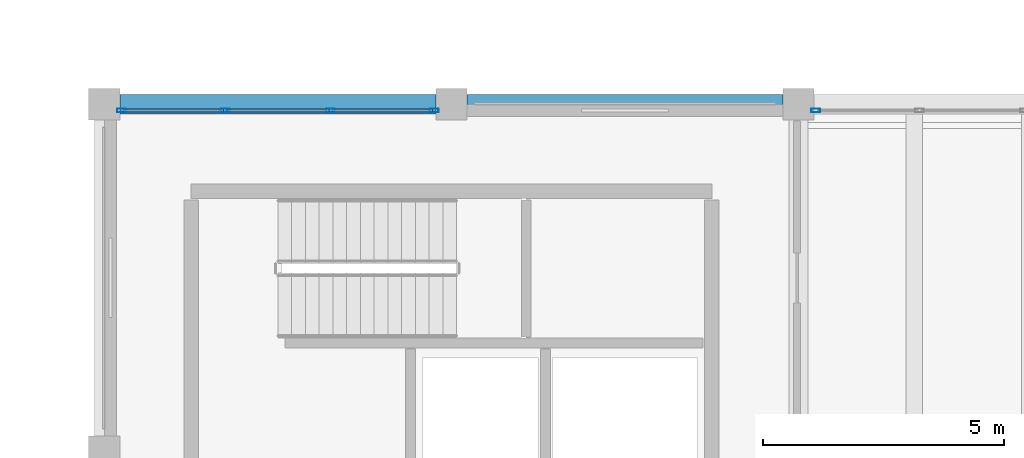
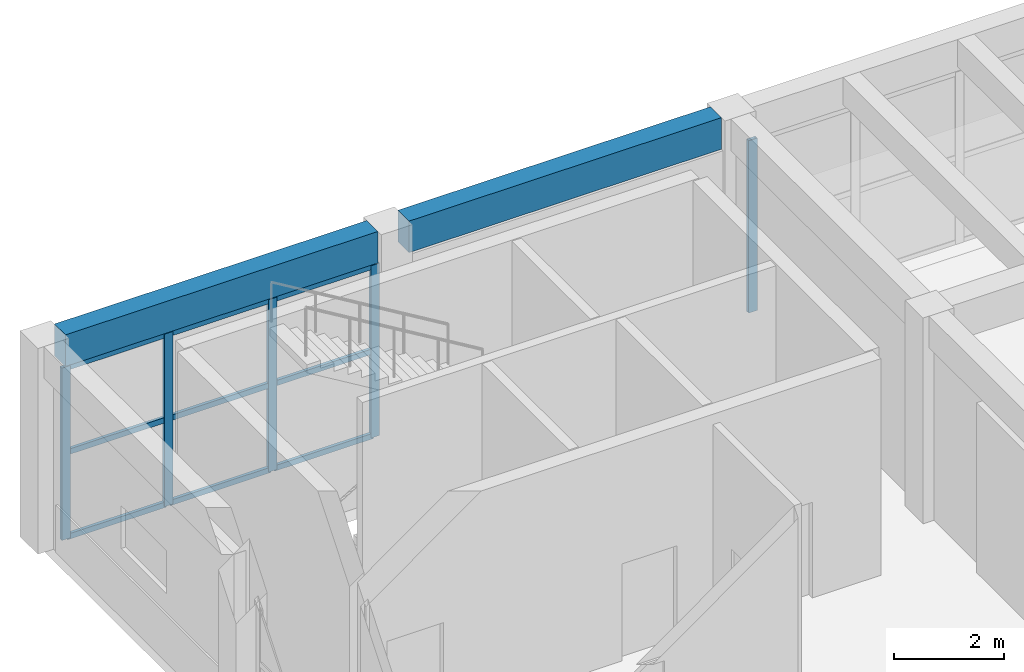
# One storey, part 78 of 155: 14 members, 2 beams, 2 elements without a shape of their own.
"""IFC4 building model written with IfcOpenShell, lengths in metres."""

from ifc_helpers import new_model, si_unit, direction, frame, origin, origin_2d, place, context, subcontext, project, spatial, rectangle, hollow_rectangle, extrude, material, material_profile, profile_set, type_object, element, aggregate, save


model = new_model("IFC4")

# Units and contexts
model_context = context("Model", 3, precision=1e-05, world=origin(), true_north=direction((0.0, 1.0)))
body_context = subcontext(model_context, "Body", "Model", "MODEL_VIEW")
ifc_project = project(units=[si_unit("LENGTHUNIT", "METRE"), si_unit("AREAUNIT", "SQUARE_METRE"), si_unit("VOLUMEUNIT", "CUBIC_METRE"), si_unit("PLANEANGLEUNIT", "RADIAN"), si_unit("MASSUNIT", "GRAM", prefix="KILO")], contexts=[model_context])

# Site, building, storey
site_placement = place(None, origin())
site = spatial("IfcSite", under=ifc_project, at=site_placement, CompositionType="ELEMENT")
building_placement = place(site_placement, origin())
building = spatial("IfcBuilding", under=site, at=building_placement, Name="Bramvelor Terrace Health Centre", CompositionType="ELEMENT")
storey_placement = place(building_placement, origin())
storey = spatial("IfcBuildingStorey", under=building, at=storey_placement, Name="L01", CompositionType="ELEMENT", Elevation=0.0)

# Beams
ifc_material_1 = material(Name="Concrete C40/50", Category="concrete")
ifc_material_profile_1 = material_profile(ifc_material_1, rectangle(XDim=0.39990234375, YDim=0.699951171875, at=origin_2d()), Name="RC 400x700")
ifc_profile_set_1 = profile_set([ifc_material_profile_1], Name="Concrete C40/50")
beam_type = type_object("IfcBeamType", Name="BM-RC-SP700-EXT", PredefinedType="SPANDREL", material=ifc_profile_set_1)
for number, where, z_axis, x_axis, name in (
    (1, (0.324951171875, 115.199951171875, 4.2099609375), (1.0, 0.0, 0.0), (0.0, 1.0, 0.0), "L01 Floor Girder"),
    (2, (7.52490234375, 115.199951171875, 4.2099609375), (1.0, 0.0, 0.0), (0.0, 1.0, 0.0), "L01 Floor Girder"),
):
    element("IfcBeam", number, at=place(storey_placement, frame(where, z_axis=z_axis, x_axis=x_axis)), inside=storey, type_object=beam_type, Name=name, PredefinedType="SPANDREL", context=body_context, shape_type="SweptSolid", body=[
        extrude(rectangle(XDim=0.39990234375, YDim=0.699951171875, at=origin_2d()), origin(), (0.0, 0.0, 1.0), 6.550048828125),
    ])

# Curtain wall, members
ifc_material_2 = material(Name="Anodized aluminium and double low-E glass", Category="aluminium")
curtain_wall_type = type_object("IfcCurtainWallType", Name="CW-SYS-05", PredefinedType="NOTDEFINED", material=ifc_material_2)
curtain_wall_1_placement = place(storey_placement, origin())
curtain_wall_1 = element("IfcCurtainWall", 3, at=curtain_wall_1_placement, inside=storey, type_object=curtain_wall_type, Name="L01 Unitized Curtain Wall 18", PredefinedType="NOTDEFINED")
ifc_material_3 = material(Name="Anodized aluminium 6063-T6", Category="aluminium")
ifc_material_profile_2 = material_profile(ifc_material_3, hollow_rectangle(XDim=0.074951171875, YDim=0.179931640625, WallThickness=0.00341796875, at=origin_2d()), Name="ALU-MUL 75x180x3.5")
ifc_profile_set_2 = profile_set([ifc_material_profile_2], Name="Anodized aluminium 6063-T6")
member_type_1 = type_object("IfcMemberType", Name="CW-MUL-65x180", PredefinedType="MULLION", material=ifc_profile_set_2)
member_1_placement = place(storey_placement, frame((0.357421875, 115.070068359375, 0.0), z_axis=(0.0, 0.0, 1.0), x_axis=(0.0, 1.0, 0.0)))
member_1 = element("IfcMember", 4, at=member_1_placement, type_object=member_type_1, Name="CW-05 mullion 1", PredefinedType="MULLION", context=body_context, shape_type="SweptSolid", body=[
    extrude(hollow_rectangle(XDim=0.074951171875, YDim=0.179931640625, WallThickness=0.00341796875, at=origin_2d()), origin(), (0.0, 0.0, 1.0), 3.820068359375),
])
member_2_placement = place(storey_placement, frame((2.506591796875, 115.070068359375, 0.0), z_axis=(0.0, 0.0, 1.0), x_axis=(0.0, 1.0, 0.0)))
member_2 = element("IfcMember", 5, at=member_2_placement, type_object=member_type_1, Name="CW-05 mullion 2", PredefinedType="MULLION", context=body_context, shape_type="SweptSolid", body=[
    extrude(hollow_rectangle(XDim=0.074951171875, YDim=0.179931640625, WallThickness=0.00341796875, at=origin_2d()), origin(), (0.0, 0.0, 1.0), 3.820068359375),
])
member_3_placement = place(storey_placement, frame((4.693359375, 115.070068359375, 0.0), z_axis=(0.0, 0.0, 1.0), x_axis=(0.0, 1.0, 0.0)))
member_3 = element("IfcMember", 6, at=member_3_placement, type_object=member_type_1, Name="CW-05 mullion 3", PredefinedType="MULLION", context=body_context, shape_type="SweptSolid", body=[
    extrude(hollow_rectangle(XDim=0.074951171875, YDim=0.179931640625, WallThickness=0.00341796875, at=origin_2d()), origin(), (0.0, 0.0, 1.0), 3.820068359375),
])
member_4_placement = place(storey_placement, frame((6.842529296875, 115.070068359375, 0.0), z_axis=(0.0, 0.0, 1.0), x_axis=(0.0, 1.0, 0.0)))
member_4 = element("IfcMember", 7, at=member_4_placement, type_object=member_type_1, Name="CW-05 mullion 4", PredefinedType="MULLION", context=body_context, shape_type="SweptSolid", body=[
    extrude(hollow_rectangle(XDim=0.074951171875, YDim=0.179931640625, WallThickness=0.00341796875, at=origin_2d()), origin(), (0.0, 0.0, 1.0), 3.820068359375),
])

# Curtain wall, member
curtain_wall_2_placement = place(storey_placement, origin())
curtain_wall_2 = element("IfcCurtainWall", 8, at=curtain_wall_2_placement, inside=storey, type_object=curtain_wall_type, Name="L01 Unitized Curtain Wall 19", PredefinedType="NOTDEFINED")
member_5_placement = place(storey_placement, frame((14.757568359375, 115.070068359375, 0.0), z_axis=(0.0, 0.0, 1.0), x_axis=(0.0, 1.0, 0.0)))
member_5 = element("IfcMember", 9, at=member_5_placement, type_object=member_type_1, Name="CW-05 mullion 1", PredefinedType="MULLION", context=body_context, shape_type="SweptSolid", body=[
    extrude(hollow_rectangle(XDim=0.074951171875, YDim=0.179931640625, WallThickness=0.00341796875, at=origin_2d()), origin(), (0.0, 0.0, 1.0), 3.820068359375),
])
aggregate(curtain_wall_2, [member_5])

# Member
ifc_material_4 = material(Name="Anodized aluminium 6063-T6", Category="aluminium")
ifc_material_profile_3 = material_profile(ifc_material_4, hollow_rectangle(XDim=0.06494140625, YDim=0.1201171875, WallThickness=0.0029296875, at=origin_2d()), Name="ALU-TRN 65x120x3.0")
ifc_profile_set_3 = profile_set([ifc_material_profile_3], Name="Anodized aluminium 6063-T6")
member_type_2 = type_object("IfcMemberType", Name="CW-TRN-65x150", PredefinedType="USERDEFINED", material=ifc_profile_set_3)
member_6_placement = place(storey_placement, frame((0.39501953125, 115.070068359375, 0.032470703125), z_axis=(1.0, 0.0, 0.0), x_axis=(0.0, 1.0, 0.0)))
member_6 = element("IfcMember", 10, at=member_6_placement, type_object=member_type_2, Name="CW-05 transom 1.1", ObjectType="TRANSOM", PredefinedType="USERDEFINED", context=body_context, shape_type="SweptSolid", body=[
    extrude(hollow_rectangle(XDim=0.06494140625, YDim=0.1201171875, WallThickness=0.0029296875, at=origin_2d()), origin(), (0.0, 0.0, 1.0), 2.07421875),
])

member_7_placement = place(storey_placement, frame((0.39501953125, 115.070068359375, 1.909912109375), z_axis=(1.0, 0.0, 0.0), x_axis=(0.0, 1.0, 0.0)))
member_7 = element("IfcMember", 11, at=member_7_placement, type_object=member_type_2, Name="CW-05 transom 1.2", ObjectType="TRANSOM", PredefinedType="USERDEFINED", context=body_context, shape_type="SweptSolid", body=[
    extrude(hollow_rectangle(XDim=0.06494140625, YDim=0.1201171875, WallThickness=0.0029296875, at=origin_2d()), origin(), (0.0, 0.0, 1.0), 2.07421875),
])

member_8_placement = place(storey_placement, frame((0.39501953125, 115.070068359375, 3.78759765625), z_axis=(1.0, 0.0, 0.0), x_axis=(0.0, 1.0, 0.0)))
member_8 = element("IfcMember", 12, at=member_8_placement, type_object=member_type_2, Name="CW-05 transom 1.3", ObjectType="TRANSOM", PredefinedType="USERDEFINED", context=body_context, shape_type="SweptSolid", body=[
    extrude(hollow_rectangle(XDim=0.06494140625, YDim=0.1201171875, WallThickness=0.0029296875, at=origin_2d()), origin(), (0.0, 0.0, 1.0), 2.07421875),
])

member_9_placement = place(storey_placement, frame((2.544189453125, 115.070068359375, 0.032470703125), z_axis=(1.0, 0.0, 0.0), x_axis=(0.0, 1.0, 0.0)))
member_9 = element("IfcMember", 13, at=member_9_placement, type_object=member_type_2, Name="CW-05 transom 2.1", ObjectType="TRANSOM", PredefinedType="USERDEFINED", context=body_context, shape_type="SweptSolid", body=[
    extrude(hollow_rectangle(XDim=0.06494140625, YDim=0.1201171875, WallThickness=0.0029296875, at=origin_2d()), origin(), (0.0, 0.0, 1.0), 2.111572265625),
])

member_10_placement = place(storey_placement, frame((2.544189453125, 115.070068359375, 1.909912109375), z_axis=(1.0, 0.0, 0.0), x_axis=(0.0, 1.0, 0.0)))
member_10 = element("IfcMember", 14, at=member_10_placement, type_object=member_type_2, Name="CW-05 transom 2.2", ObjectType="TRANSOM", PredefinedType="USERDEFINED", context=body_context, shape_type="SweptSolid", body=[
    extrude(hollow_rectangle(XDim=0.06494140625, YDim=0.1201171875, WallThickness=0.0029296875, at=origin_2d()), origin(), (0.0, 0.0, 1.0), 2.111572265625),
])

member_11_placement = place(storey_placement, frame((2.544189453125, 115.070068359375, 3.78759765625), z_axis=(1.0, 0.0, 0.0), x_axis=(0.0, 1.0, 0.0)))
member_11 = element("IfcMember", 15, at=member_11_placement, type_object=member_type_2, Name="CW-05 transom 2.3", ObjectType="TRANSOM", PredefinedType="USERDEFINED", context=body_context, shape_type="SweptSolid", body=[
    extrude(hollow_rectangle(XDim=0.06494140625, YDim=0.1201171875, WallThickness=0.0029296875, at=origin_2d()), origin(), (0.0, 0.0, 1.0), 2.111572265625),
])

member_12_placement = place(storey_placement, frame((4.730712890625, 115.070068359375, 0.032470703125), z_axis=(1.0, 0.0, 0.0), x_axis=(0.0, 1.0, 0.0)))
member_12 = element("IfcMember", 16, at=member_12_placement, type_object=member_type_2, Name="CW-05 transom 3.1", ObjectType="TRANSOM", PredefinedType="USERDEFINED", context=body_context, shape_type="SweptSolid", body=[
    extrude(hollow_rectangle(XDim=0.06494140625, YDim=0.1201171875, WallThickness=0.0029296875, at=origin_2d()), origin(), (0.0, 0.0, 1.0), 2.07421875),
])

member_13_placement = place(storey_placement, frame((4.730712890625, 115.070068359375, 1.909912109375), z_axis=(1.0, 0.0, 0.0), x_axis=(0.0, 1.0, 0.0)))
member_13 = element("IfcMember", 17, at=member_13_placement, type_object=member_type_2, Name="CW-05 transom 3.2", ObjectType="TRANSOM", PredefinedType="USERDEFINED", context=body_context, shape_type="SweptSolid", body=[
    extrude(hollow_rectangle(XDim=0.06494140625, YDim=0.1201171875, WallThickness=0.0029296875, at=origin_2d()), origin(), (0.0, 0.0, 1.0), 2.07421875),
])

member_14_placement = place(storey_placement, frame((4.730712890625, 115.070068359375, 3.78759765625), z_axis=(1.0, 0.0, 0.0), x_axis=(0.0, 1.0, 0.0)))
member_14 = element("IfcMember", 18, at=member_14_placement, type_object=member_type_2, Name="CW-05 transom 3.3", ObjectType="TRANSOM", PredefinedType="USERDEFINED", context=body_context, shape_type="SweptSolid", body=[
    extrude(hollow_rectangle(XDim=0.06494140625, YDim=0.1201171875, WallThickness=0.0029296875, at=origin_2d()), origin(), (0.0, 0.0, 1.0), 2.07421875),
])

aggregate(curtain_wall_1, [member_1, member_2, member_3, member_4, member_6, member_7, member_8, member_9, member_10, member_11, member_12, member_13, member_14])

save(model, "model.ifc")
